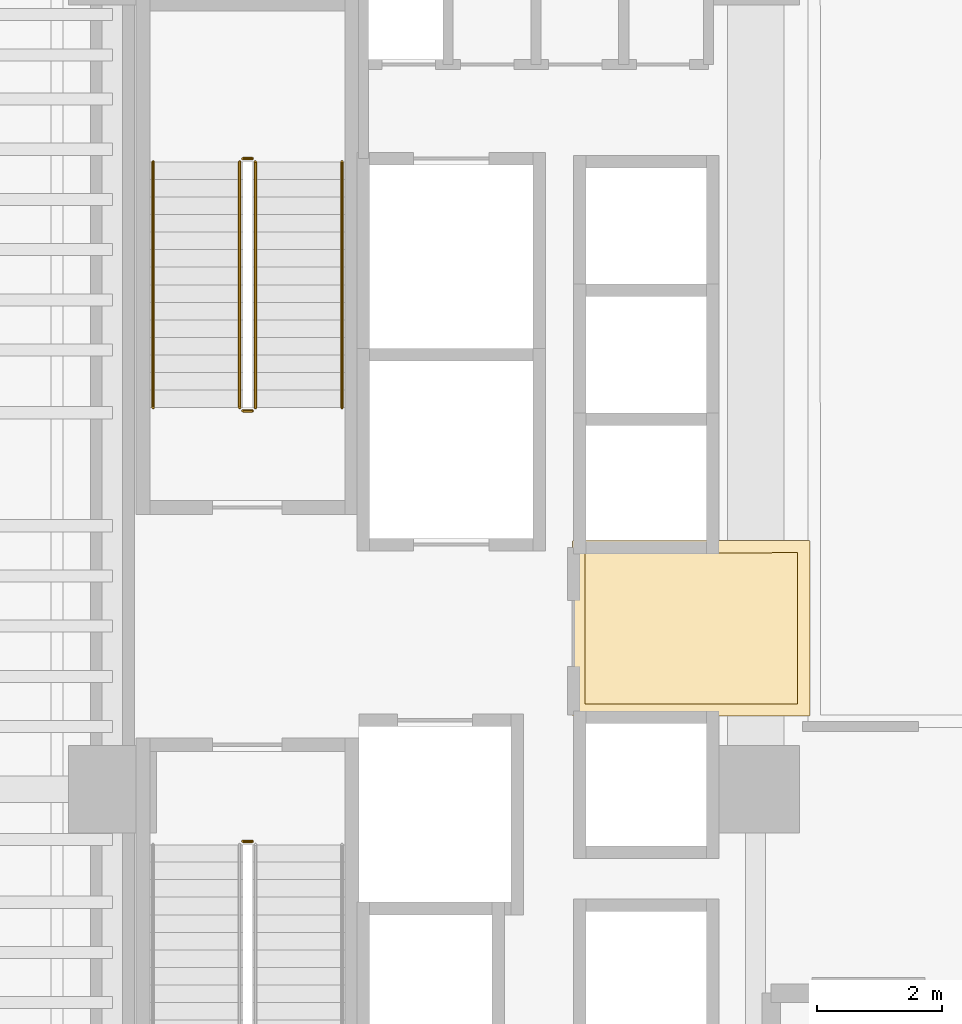
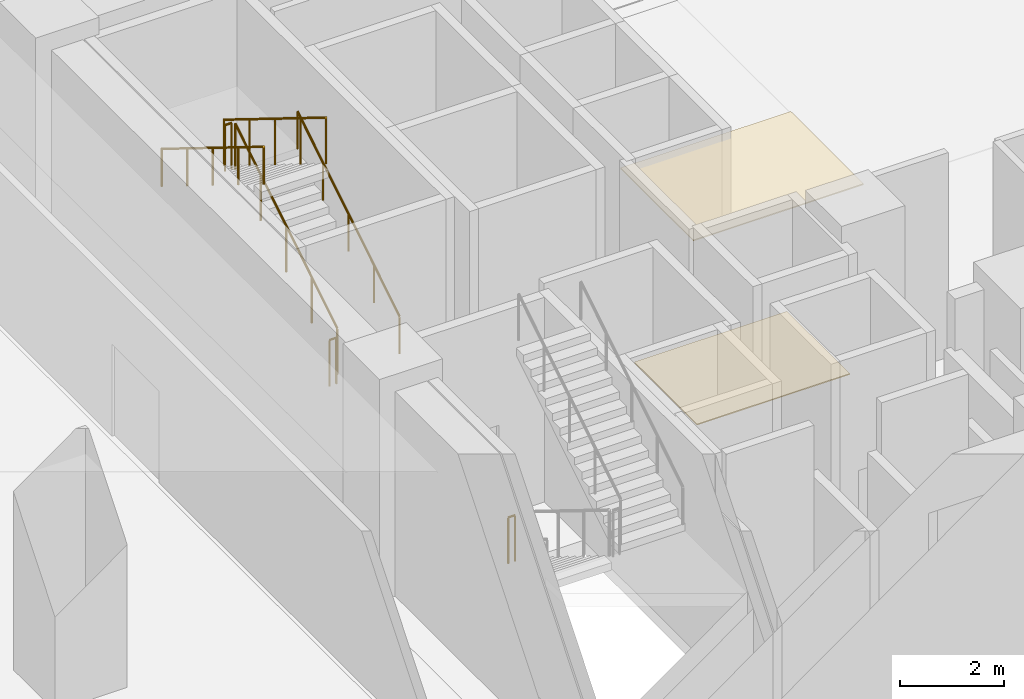
# One storey, part 33 of 39: 7 railings, 2 coverings.
"""IFC4 building model written with IfcOpenShell, lengths in metres."""

from ifc_helpers import new_model, si_unit, direction, frame, origin, origin_2d, place, context, subcontext, project, spatial, polyline, circle, outline, extrude, material, layer, layer_set, type_object, element, save


model = new_model("IFC4")

# Units and contexts
model_context = context("Model", 3, precision=1e-05, world=origin(), true_north=direction((0.0, 1.0)))
body_context = subcontext(model_context, "Body", "Model", "MODEL_VIEW")
ifc_project = project(units=[si_unit("LENGTHUNIT", "METRE"), si_unit("AREAUNIT", "SQUARE_METRE"), si_unit("VOLUMEUNIT", "CUBIC_METRE"), si_unit("PLANEANGLEUNIT", "RADIAN"), si_unit("MASSUNIT", "GRAM", prefix="KILO")], contexts=[model_context])

# Site, building, storey
site_placement = place(None, origin())
site = spatial("IfcSite", under=ifc_project, at=site_placement, CompositionType="ELEMENT")
building_placement = place(site_placement, origin())
building = spatial("IfcBuilding", under=site, at=building_placement, Name="Valdorenza Pilgrim Sanctuary Tower", CompositionType="ELEMENT")
storey_placement = place(building_placement, frame((0.0, 0.0, 15.60009765625)))
storey = spatial("IfcBuildingStorey", under=building, at=storey_placement, Name="L03", CompositionType="ELEMENT", Elevation=15.60009765625)

# Coverings
ifc_material_1 = material(Name="Micro-perforated acoustic mineral ceiling tile", Category="gypsum")
ifc_layer_1 = layer(ifc_material_1, 0.02490234375, Name="Micro-perforated acoustic mineral ceiling tile")
ifc_layer_set_1 = layer_set([ifc_layer_1], Name="Micro-perforated acoustic mineral ceiling tile")
covering_type_1 = type_object("IfcCoveringType", Name="COV-CLG-ACU", PredefinedType="CEILING", material=ifc_layer_set_1)
covering_1_placement = place(storey_placement, frame((0.0, 0.0, 4.5)))
element("IfcCovering", 1, at=covering_1_placement, inside=storey, type_object=covering_type_1, Name="L03 Core A Passenger Lift Lobby Acoustic Ceiling", PredefinedType="CEILING", context=body_context, shape_type="SweptSolid", body=[
    extrude(outline(polyline([(-15.31298828125, 1.244384765625), (-15.31298828125, 1.24462890625), (-15.313720703125, 1.24609375), (-15.314208984375, 1.24755859375), (-15.314697265625, 1.2490234375), (-15.31494140625, 1.25048828125), (-15.31494140625, 1.251953125), (-15.31494140625, 1.35009765625), (-15.31494140625, 1.3515625), (-15.314697265625, 1.352783203125), (-15.314453125, 1.3544921875), (-15.31396484375, 1.355712890625), (-15.313232421875, 1.357177734375), (-15.3125, 1.3583984375), (-15.3115234375, 1.359619140625), (-15.310546875, 1.360595703125), (-15.3095703125, 1.361572265625), (-15.308349609375, 1.362548828125), (-15.30712890625, 1.36328125), (-15.3056640625, 1.364013671875), (-15.304443359375, 1.364501953125), (-15.302978515625, 1.36474609375), (-15.301513671875, 1.364990234375), (-15.300048828125, 1.364990234375), (-15.10205078125, 1.364990234375), (-15.1005859375, 1.364990234375), (-15.09912109375, 1.36474609375), (-15.097412109375, 1.3642578125), (-15.09619140625, 1.36376953125), (-15.0947265625, 1.363037109375), (-15.094482421875, 1.363037109375), (-13.185546875, 1.363037109375), (-13.185302734375, 1.363037109375), (-13.183837890625, 1.36376953125), (-13.1826171875, 1.3642578125), (-13.180908203125, 1.36474609375), (-13.179443359375, 1.364990234375), (-13.177978515625, 1.364990234375), (-11.550048828125, 1.364990234375), (-11.548583984375, 1.364990234375), (-11.547119140625, 1.36474609375), (-11.545654296875, 1.364501953125), (-11.544189453125, 1.364013671875), (-11.54296875, 1.36328125), (-11.541748046875, 1.362548828125), (-11.54052734375, 1.361572265625), (-11.539306640625, 1.360595703125), (-11.538330078125, 1.359619140625), (-11.53759765625, 1.3583984375), (-11.536865234375, 1.357177734375), (-11.5361328125, 1.355712890625), (-11.53564453125, 1.3544921875), (-11.535400390625, 1.352783203125), (-11.53515625, 1.3515625), (-11.534912109375, 1.35009765625), (-11.534912109375, -1.419921875), (-11.53515625, -1.42138671875), (-11.535400390625, -1.4228515625), (-11.53564453125, -1.42431640625), (-11.5361328125, -1.42578125), (-11.536865234375, -1.427001953125), (-11.53759765625, -1.42822265625), (-11.538330078125, -1.429443359375), (-11.539306640625, -1.4306640625), (-11.54052734375, -1.431640625), (-11.541748046875, -1.4326171875), (-11.54296875, -1.43310546875), (-11.544189453125, -1.433837890625), (-11.545654296875, -1.434326171875), (-11.547119140625, -1.434814453125), (-11.548583984375, -1.434814453125), (-11.550048828125, -1.43505859375), (-15.298095703125, -1.43505859375), (-15.299560546875, -1.434814453125), (-15.30078125, -1.434814453125), (-15.302490234375, -1.434326171875), (-15.3037109375, -1.433837890625), (-15.30517578125, -1.43310546875), (-15.306396484375, -1.4326171875), (-15.3076171875, -1.431640625), (-15.30859375, -1.4306640625), (-15.3095703125, -1.429443359375), (-15.310546875, -1.42822265625), (-15.311279296875, -1.427001953125), (-15.31201171875, -1.42578125), (-15.3125, -1.42431640625), (-15.312744140625, -1.4228515625), (-15.31298828125, -1.42138671875), (-15.31298828125, -1.419921875), (-15.31298828125, 1.244384765625)])), origin(), (0.0, 0.0, 1.0), 0.02490234375),
])
ifc_material_2 = material(Name="Honed travertine stone flooring", Category="masonry")
ifc_layer_2 = layer(ifc_material_2, 0.030029296875, Name="Honed travertine stone flooring")
ifc_layer_set_2 = layer_set([ifc_layer_2], Name="Honed travertine stone flooring")
covering_type_2 = type_object("IfcCoveringType", Name="COV-FLR-TRV", PredefinedType="FLOORING", material=ifc_layer_set_2)
covering_2_placement = place(storey_placement, origin())
element("IfcCovering", 2, at=covering_2_placement, inside=storey, type_object=covering_type_2, Name="L03 Core A Passenger Lift Lobby Flooring", PredefinedType="FLOORING", context=body_context, shape_type="SweptSolid", body=[
    extrude(outline(polyline([(-15.117919921875, 1.169189453125), (-15.10888671875, 1.168212890625), (-15.10888671875, 1.168212890625), (-15.10009765625, 1.16796875), (-13.179931640625, 1.16796875), (-13.1796875, 1.16796875), (-11.72998046875, 1.169921875), (-11.72998046875, -1.239990234375), (-15.117919921875, -1.239990234375), (-15.117919921875, 1.169189453125)])), origin(), (0.0, 0.0, 1.0), 0.02490234375),
])

# Railings
ifc_material_3 = material(Name="Stainless steel Grade 316", Category="steel")
railing_type_1 = type_object("IfcRailingType", Name="RLG-GRD-1120", PredefinedType="GUARDRAIL", material=ifc_material_3)
railing_1_placement = place(storey_placement, frame((-20.3701171875, 3.47998046875, 0.17333984375)))
element("IfcRailing", 3, at=railing_1_placement, inside=storey, type_object=railing_type_1, Name="L03 ST-A1 stair guard 1", PredefinedType="GUARDRAIL", context=body_context, shape_type="SweptSolid", body=[
    extrude(circle(Radius=0.02392578125, at=origin_2d()), frame((0.0, 0.0, 1.076171875), z_axis=(0.0, 0.850275303828, 0.526338206574), x_axis=(-1.0, 0.0, 0.0)), (0.0, 0.0, 1.0), 4.610107421875),
    extrude(circle(Radius=0.02099609375, at=origin_2d()), origin(), (0.0, 0.0, 1.0), 1.052001953125),
    extrude(circle(Radius=0.02099609375, at=origin_2d()), frame((0.0, 0.97998046875, 0.606689453125)), (0.0, 0.0, 1.0), 1.052001953125),
    extrude(circle(Radius=0.02099609375, at=origin_2d()), frame((0.0, 1.9599609375, 1.21337890625)), (0.0, 0.0, 1.0), 1.052001953125),
    extrude(circle(Radius=0.02099609375, at=origin_2d()), frame((0.0, 2.93994140625, 1.81982421875)), (0.0, 0.0, 1.0), 1.052001953125),
    extrude(circle(Radius=0.02099609375, at=origin_2d()), frame((0.0, 3.919921875, 2.426513671875)), (0.0, 0.0, 1.0), 1.052001953125),
])
railing_2_placement = place(storey_placement, frame((-20.419921875, 7.449951171875, 2.599853515625)))
element("IfcRailing", 4, at=railing_2_placement, inside=storey, type_object=railing_type_1, Name="L03 ST-A1 stair guard 2", PredefinedType="GUARDRAIL", context=body_context, shape_type="SweptSolid", body=[
    extrude(circle(Radius=0.02392578125, at=origin_2d()), frame((0.0, 0.0, 1.076171875), z_axis=(-1.0, 0.0, 0.0), x_axis=(0.0, -1.0, 0.0)), (0.0, 0.0, 1.0), 0.150146484375),
    extrude(circle(Radius=0.02099609375, at=origin_2d()), origin(), (0.0, 0.0, 1.0), 1.052001953125),
    extrude(circle(Radius=0.02099609375, at=origin_2d()), frame((-0.150146484375, 0.0, 0.0)), (0.0, 0.0, 1.0), 1.052001953125),
])
railing_3_placement = place(storey_placement, frame((-20.6201171875, 7.39990234375, 2.773193359375)))
element("IfcRailing", 5, at=railing_3_placement, inside=storey, type_object=railing_type_1, Name="L03 ST-A1 stair guard 3", PredefinedType="GUARDRAIL", context=body_context, shape_type="SweptSolid", body=[
    extrude(circle(Radius=0.02392578125, at=origin_2d()), frame((0.0, 0.0, 1.076171875), z_axis=(0.0, -0.850251603719, 0.526376491091), x_axis=(1.0, 0.0, 0.0)), (0.0, 0.0, 1.0), 4.6103515625),
    extrude(circle(Radius=0.02099609375, at=origin_2d()), origin(), (0.0, 0.0, 1.0), 1.052001953125),
    extrude(circle(Radius=0.02099609375, at=origin_2d()), frame((0.0, -0.97998046875, 0.606689453125)), (0.0, 0.0, 1.0), 1.052001953125),
    extrude(circle(Radius=0.02099609375, at=origin_2d()), frame((0.0, -1.9599609375, 1.21337890625)), (0.0, 0.0, 1.0), 1.052001953125),
    extrude(circle(Radius=0.02099609375, at=origin_2d()), frame((0.0, -2.93994140625, 1.820068359375)), (0.0, 0.0, 1.0), 1.052001953125),
    extrude(circle(Radius=0.02099609375, at=origin_2d()), frame((0.0, -3.919921875, 2.4267578125)), (0.0, 0.0, 1.0), 1.052001953125),
])
railing_4_placement = place(storey_placement, frame((-20.419921875, 3.429931640625, 0.0)))
element("IfcRailing", 6, at=railing_4_placement, inside=storey, type_object=railing_type_1, Name="L03 ST-A1 stair guard 4", PredefinedType="GUARDRAIL", context=body_context, shape_type="SweptSolid", body=[
    extrude(circle(Radius=0.02392578125, at=origin_2d()), frame((0.0, 0.0, 1.076171875), z_axis=(-1.0, 0.0, 0.0), x_axis=(0.0, -1.0, 0.0)), (0.0, 0.0, 1.0), 0.150146484375),
    extrude(circle(Radius=0.02099609375, at=origin_2d()), origin(), (0.0, 0.0, 1.0), 1.052001953125),
    extrude(circle(Radius=0.02099609375, at=origin_2d()), frame((-0.150146484375, 0.0, 0.0)), (0.0, 0.0, 1.0), 1.052001953125),
])
railing_5_placement = place(storey_placement, frame((-20.570068359375, -3.429931640625, 0.0)))
element("IfcRailing", 7, at=railing_5_placement, inside=storey, type_object=railing_type_1, Name="L03 ST-A2 stair guard 4", PredefinedType="GUARDRAIL", context=body_context, shape_type="SweptSolid", body=[
    extrude(circle(Radius=0.02392578125, at=origin_2d()), frame((0.0, 0.0, 1.076171875), z_axis=(1.0, 0.0, 0.0), x_axis=(0.0, 1.0, 0.0)), (0.0, 0.0, 1.0), 0.150146484375),
    extrude(circle(Radius=0.02099609375, at=origin_2d()), origin(), (0.0, 0.0, 1.0), 1.052001953125),
    extrude(circle(Radius=0.02099609375, at=origin_2d()), frame((0.150146484375, 0.0, 0.0)), (0.0, 0.0, 1.0), 1.052001953125),
])
ifc_material_4 = material(Name="Brushed stainless steel Grade 316", Category="steel")
railing_type_2 = type_object("IfcRailingType", Name="RLG-HND-920", PredefinedType="HANDRAIL", material=ifc_material_4)
railing_6_placement = place(storey_placement, frame((-18.989990234375, 3.47998046875, 0.17333984375)))
element("IfcRailing", 8, at=railing_6_placement, inside=storey, type_object=railing_type_2, Name="L03 ST-A1 stair handrail 1", PredefinedType="HANDRAIL", context=body_context, shape_type="SweptSolid", body=[
    extrude(circle(Radius=0.02392578125, at=origin_2d()), frame((0.0, 0.0, 0.8759765625), z_axis=(0.0, 0.850275303828, 0.526338206574), x_axis=(-1.0, 0.0, 0.0)), (0.0, 0.0, 1.0), 4.610107421875),
    extrude(circle(Radius=0.02099609375, at=origin_2d()), origin(), (0.0, 0.0, 1.0), 0.851806640625),
    extrude(circle(Radius=0.02099609375, at=origin_2d()), frame((0.0, 0.97998046875, 0.606689453125)), (0.0, 0.0, 1.0), 0.851806640625),
    extrude(circle(Radius=0.02099609375, at=origin_2d()), frame((0.0, 1.9599609375, 1.21337890625)), (0.0, 0.0, 1.0), 0.851806640625),
    extrude(circle(Radius=0.02099609375, at=origin_2d()), frame((0.0, 2.93994140625, 1.81982421875)), (0.0, 0.0, 1.0), 0.851806640625),
    extrude(circle(Radius=0.02099609375, at=origin_2d()), frame((0.0, 3.919921875, 2.426513671875)), (0.0, 0.0, 1.0), 0.851806640625),
])
railing_7_placement = place(storey_placement, frame((-22.0, 7.39990234375, 2.773193359375)))
element("IfcRailing", 9, at=railing_7_placement, inside=storey, type_object=railing_type_2, Name="L03 ST-A1 stair handrail 2", PredefinedType="HANDRAIL", context=body_context, shape_type="SweptSolid", body=[
    extrude(circle(Radius=0.02392578125, at=origin_2d()), frame((0.0, 0.0, 0.8759765625), z_axis=(0.0, -0.850251603719, 0.526376491091), x_axis=(1.0, 0.0, 0.0)), (0.0, 0.0, 1.0), 4.6103515625),
    extrude(circle(Radius=0.02099609375, at=origin_2d()), origin(), (0.0, 0.0, 1.0), 0.851806640625),
    extrude(circle(Radius=0.02099609375, at=origin_2d()), frame((0.0, -0.97998046875, 0.606689453125)), (0.0, 0.0, 1.0), 0.851806640625),
    extrude(circle(Radius=0.02099609375, at=origin_2d()), frame((0.0, -1.9599609375, 1.21337890625)), (0.0, 0.0, 1.0), 0.851806640625),
    extrude(circle(Radius=0.02099609375, at=origin_2d()), frame((0.0, -2.93994140625, 1.820068359375)), (0.0, 0.0, 1.0), 0.851806640625),
    extrude(circle(Radius=0.02099609375, at=origin_2d()), frame((0.0, -3.919921875, 2.4267578125)), (0.0, 0.0, 1.0), 0.851806640625),
])

save(model, "model.ifc")
